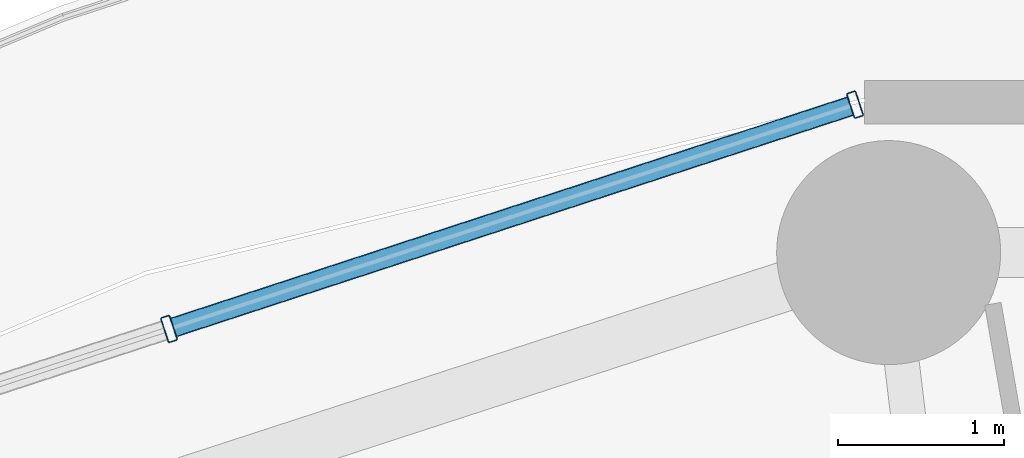
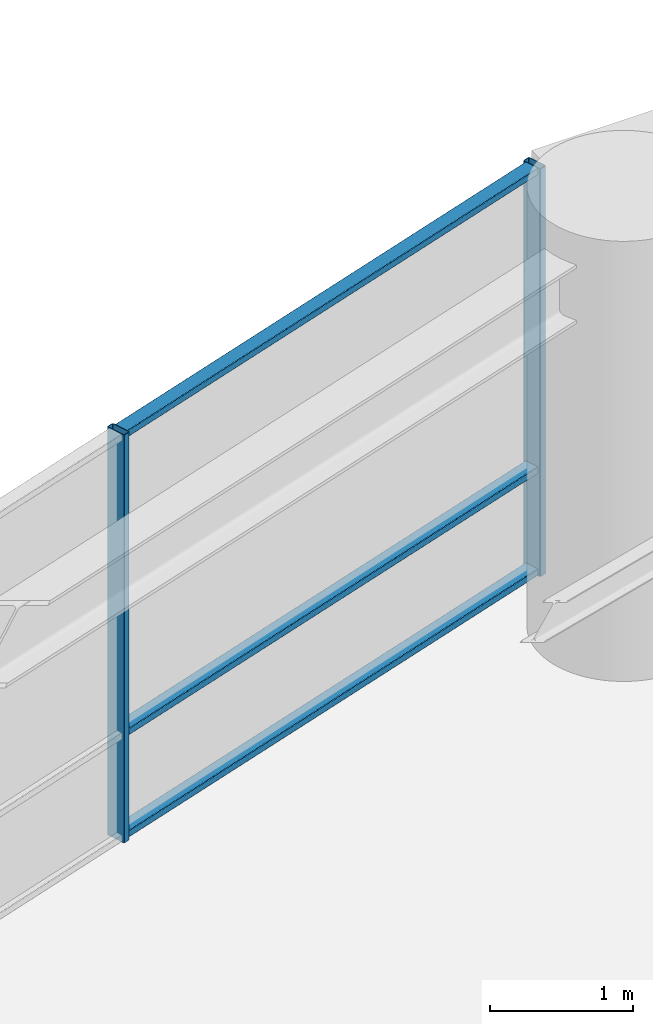
# One storey, part 21 of 35: 5 members, 1 element without a shape of its own.
"""IFC4 building model written with IfcOpenShell, lengths in metres."""

from ifc_helpers import new_model, si_unit, direction, frame, origin, origin_2d, place, context, subcontext, project, spatial, hollow_rectangle, extrude, material, layer, layer_set, material_profile, profile_set, type_object, element, aggregate, save


model = new_model("IFC4")

# Units and contexts
model_context = context("Model", 3, precision=1e-05, world=origin(), true_north=direction((0.0, 1.0)))
body_context = subcontext(model_context, "Body", "Model", "MODEL_VIEW")
ifc_project = project(units=[si_unit("LENGTHUNIT", "METRE"), si_unit("AREAUNIT", "SQUARE_METRE"), si_unit("VOLUMEUNIT", "CUBIC_METRE"), si_unit("PLANEANGLEUNIT", "RADIAN"), si_unit("MASSUNIT", "GRAM", prefix="KILO")], contexts=[model_context])

# Site, building, storey
site_placement = place(None, origin())
site = spatial("IfcSite", under=ifc_project, at=site_placement, CompositionType="ELEMENT")
building_placement = place(site_placement, origin())
building = spatial("IfcBuilding", under=site, at=building_placement, Name="Kelanora Arch Commons", CompositionType="ELEMENT")
storey_placement = place(building_placement, frame((0.0, 0.0, 87.60009765625)))
storey = spatial("IfcBuildingStorey", under=building, at=storey_placement, Name="L22", CompositionType="ELEMENT", Elevation=87.60009765625)

# Curtain wall, members
ifc_material_1 = material(Name="Terracotta ceramic-fritted low-E glass and aluminium", Category="masonry")
ifc_layer = layer(ifc_material_1, 0.159912109375)
ifc_layer_set = layer_set([ifc_layer], Name="Terracotta ceramic-fritted low-E glass and aluminium")
curtain_wall_type = type_object("IfcCurtainWallType", Name="CW-SYS-01", PredefinedType="NOTDEFINED", material=ifc_layer_set)
curtain_wall_placement = place(storey_placement, origin())
curtain_wall = element("IfcCurtainWall", 1, at=curtain_wall_placement, inside=storey, type_object=curtain_wall_type, Name="Unitised Curtain Wall L22-B05", PredefinedType="NOTDEFINED")
ifc_material_2 = material(Name="Powder-coated aluminium terracotta", Category="masonry")
ifc_material_profile_1 = material_profile(ifc_material_2, hollow_rectangle(XDim=0.159912109375, YDim=0.06005859375, WallThickness=0.0048828125, InnerFilletRadius=0.0048828125, OuterFilletRadius=0.010009765625, at=origin_2d()), Name="CWM160x60")
ifc_profile_set_1 = profile_set([ifc_material_profile_1], Name="Powder-coated aluminium terracotta")
member_type_1 = type_object("IfcMemberType", Name="CWM-STD", PredefinedType="MULLION", material=ifc_profile_set_1)
member_1_placement = place(storey_placement, frame((69.51171875, 80.636474609375, 0.0), z_axis=(0.0, 0.0, 1.0), x_axis=(0.31080470294, -0.950473795867, 0.0)))
member_1 = element("IfcMember", 2, at=member_1_placement, type_object=member_type_1, Name="CW-01 mullion 1", PredefinedType="MULLION", context=body_context, shape_type="SweptSolid", body=[
    extrude(hollow_rectangle(XDim=0.159912109375, YDim=0.06005859375, WallThickness=0.0048828125, InnerFilletRadius=0.0048828125, OuterFilletRadius=0.010009765625, at=origin_2d()), origin(), (0.0, 0.0, 1.0), 3.474853515625),
])
member_2_placement = place(storey_placement, frame((65.377197265625, 79.28466796875, 0.0), z_axis=(0.0, 0.0, 1.0), x_axis=(0.31080470294, -0.950473795867, 0.0)))
member_2 = element("IfcMember", 3, at=member_2_placement, type_object=member_type_1, Name="CW-01 mullion 2", PredefinedType="MULLION", context=body_context, shape_type="SweptSolid", body=[
    extrude(hollow_rectangle(XDim=0.159912109375, YDim=0.06005859375, WallThickness=0.0048828125, InnerFilletRadius=0.0048828125, OuterFilletRadius=0.010009765625, at=origin_2d()), origin(), (0.0, 0.0, 1.0), 3.474853515625),
])
ifc_material_profile_2 = material_profile(ifc_material_2, hollow_rectangle(XDim=0.1201171875, YDim=0.06005859375, WallThickness=0.0048828125, InnerFilletRadius=0.0048828125, OuterFilletRadius=0.010009765625, at=origin_2d()), Name="CWT120x60")
ifc_profile_set_2 = profile_set([ifc_material_profile_2], Name="Powder-coated aluminium terracotta")
member_type_2 = type_object("IfcMemberType", Name="CWT-STD", PredefinedType="USERDEFINED", material=ifc_profile_set_2)
member_3_placement = place(storey_placement, frame((69.483154296875, 80.627197265625, 0.02978515625), z_axis=(-0.950477544745, -0.31079323824, 0.0), x_axis=(0.31079323824, -0.950477544745, 0.0)))
member_3 = element("IfcMember", 4, at=member_3_placement, type_object=member_type_2, Name="CW-01 transom 1.1", ObjectType="TRANSOM", PredefinedType="USERDEFINED", context=body_context, shape_type="SweptSolid", body=[
    extrude(hollow_rectangle(XDim=0.1201171875, YDim=0.06005859375, WallThickness=0.0048828125, InnerFilletRadius=0.0048828125, OuterFilletRadius=0.010009765625, at=origin_2d()), origin(), (0.0, 0.0, 1.0), 4.289794921875),
])
member_4_placement = place(storey_placement, frame((69.483154296875, 80.627197265625, 0.89990234375), z_axis=(-0.950477544745, -0.31079323824, 0.0), x_axis=(0.31079323824, -0.950477544745, 0.0)))
member_4 = element("IfcMember", 5, at=member_4_placement, type_object=member_type_2, Name="CW-01 transom 1.2", ObjectType="TRANSOM", PredefinedType="USERDEFINED", context=body_context, shape_type="SweptSolid", body=[
    extrude(hollow_rectangle(XDim=0.1201171875, YDim=0.06005859375, WallThickness=0.0048828125, InnerFilletRadius=0.0048828125, OuterFilletRadius=0.010009765625, at=origin_2d()), origin(), (0.0, 0.0, 1.0), 4.289794921875),
])
member_5_placement = place(storey_placement, frame((69.483154296875, 80.627197265625, 3.44482421875), z_axis=(-0.950477544745, -0.31079323824, 0.0), x_axis=(0.31079323824, -0.950477544745, 0.0)))
member_5 = element("IfcMember", 6, at=member_5_placement, type_object=member_type_2, Name="CW-01 transom 1.3", ObjectType="TRANSOM", PredefinedType="USERDEFINED", context=body_context, shape_type="SweptSolid", body=[
    extrude(hollow_rectangle(XDim=0.1201171875, YDim=0.06005859375, WallThickness=0.0048828125, InnerFilletRadius=0.0048828125, OuterFilletRadius=0.010009765625, at=origin_2d()), origin(), (0.0, 0.0, 1.0), 4.289794921875),
])
aggregate(curtain_wall, [member_1, member_2, member_3, member_4, member_5])

save(model, "model.ifc")
